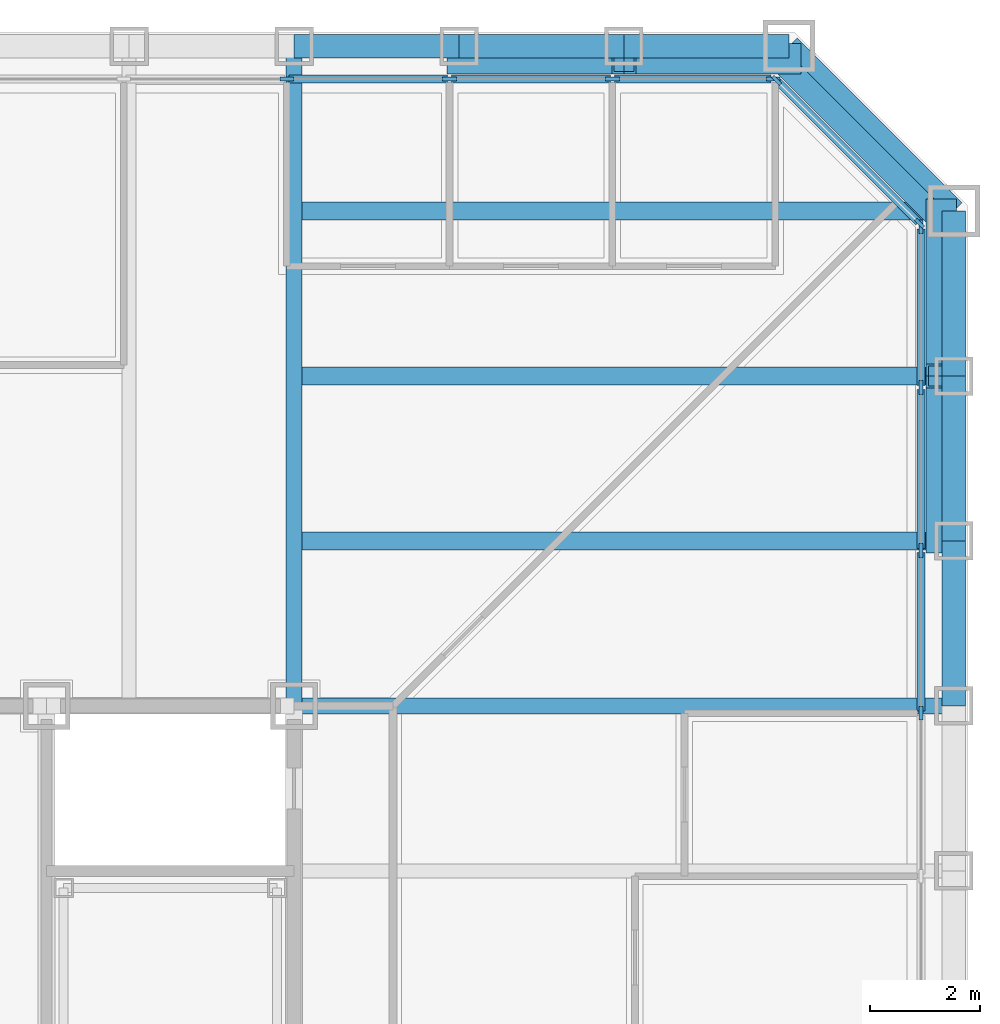
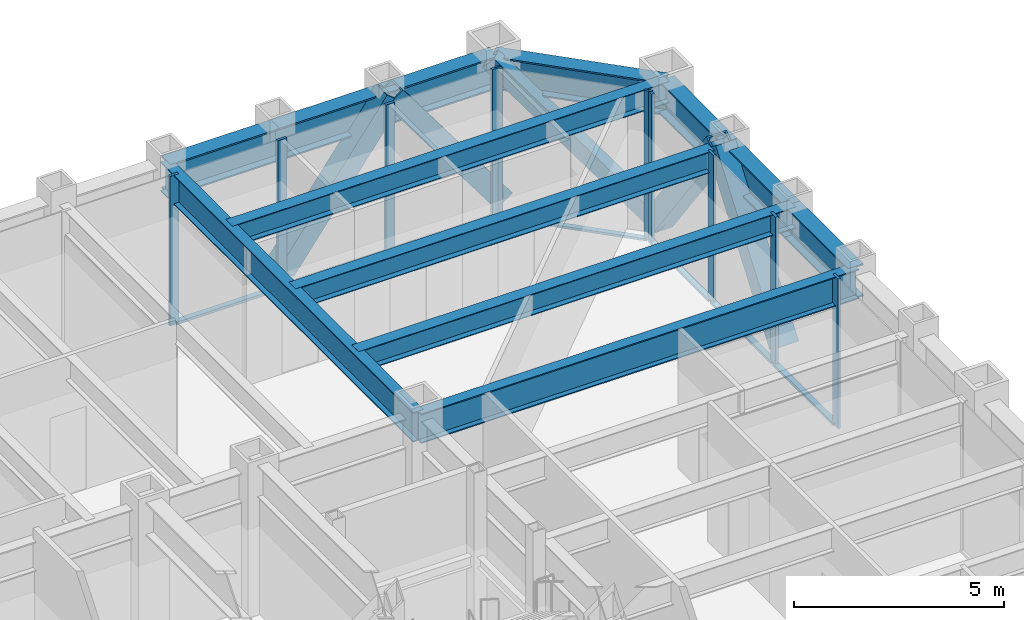
# One storey, part 6 of 17: 22 members, 12 beams, 3 elements without a shape of their own.
"""IFC4 building model written with IfcOpenShell, lengths in metres."""

from ifc_helpers import new_model, si_unit, direction, frame, origin, origin_2d, place, context, subcontext, project, spatial, rectangle, hollow_rectangle, i_section, extrude, material, layer, layer_set, material_profile, profile_set, type_object, element, aggregate, save


model = new_model("IFC4")

# Units and contexts
model_context = context("Model", 3, precision=1e-05, world=origin(), true_north=direction((0.0, 1.0)))
body_context = subcontext(model_context, "Body", "Model", "MODEL_VIEW")
ifc_project = project(units=[si_unit("LENGTHUNIT", "METRE"), si_unit("AREAUNIT", "SQUARE_METRE"), si_unit("VOLUMEUNIT", "CUBIC_METRE"), si_unit("PLANEANGLEUNIT", "RADIAN"), si_unit("MASSUNIT", "GRAM", prefix="KILO")], contexts=[model_context])

# Site, building, storey
site_placement = place(None, origin())
site = spatial("IfcSite", under=ifc_project, at=site_placement, CompositionType="ELEMENT")
building_placement = place(site_placement, origin())
building = spatial("IfcBuilding", under=site, at=building_placement, Name="Chuquiago Exchange Tower", CompositionType="ELEMENT")
storey_placement = place(building_placement, frame((0.0, 0.0, 69.300048828125)))
storey = spatial("IfcBuildingStorey", under=building, at=storey_placement, Name="L14", CompositionType="ELEMENT", Elevation=69.300048828125)

# Beams
ifc_material_1 = material(Name="Steel ASTM A992", Category="steel")
ifc_material_profile_1 = material_profile(ifc_material_1, i_section(OverallWidth=0.3251953125, OverallDepth=0.6171875, WebThickness=0.013916015625, FlangeThickness=0.021484375, at=origin_2d()), Name="W24X117")
ifc_profile_set_1 = profile_set([ifc_material_profile_1], Name="Steel ASTM A992")
beam_type_1 = type_object("IfcBeamType", Name="B5 W24X117", PredefinedType="BEAM", material=ifc_profile_set_1)
for number, where, z_axis, x_axis, name in (
    (1, (33.0, 36.0, 3.7314453125), (1.0, 0.0, 0.0), (0.0, 1.0, 0.0), "FB-L15-corner-33_36-45_36-0"),
    (2, (33.0, 39.0, 3.7314453125), (1.0, 0.0, 0.0), (0.0, 1.0, 0.0), "FB-L15-corner-33_39-45_39-0"),
    (3, (33.0, 42.0, 3.7314453125), (1.0, 0.0, 0.0), (0.0, 1.0, 0.0), "FB-L15-corner-33_42-45_42-0"),
):
    element("IfcBeam", number, at=place(storey_placement, frame(where, z_axis=z_axis, x_axis=x_axis)), inside=storey, type_object=beam_type_1, Name=name, PredefinedType="BEAM", context=body_context, shape_type="SweptSolid", body=[
        extrude(i_section(OverallWidth=0.3251953125, OverallDepth=0.6171875, WebThickness=0.013916015625, FlangeThickness=0.021484375, at=origin_2d()), origin(), (0.0, 0.0, 1.0), 12.0),
    ])

# Curtain wall, members
ifc_material_2 = material(Name="Aluminium curtain wall system", Category="aluminium")
ifc_layer_1 = layer(ifc_material_2, 0.25)
ifc_layer_set_1 = layer_set([ifc_layer_1], Name="CW1 trading floor curtain wall")
curtain_wall_type_1 = type_object("IfcCurtainWallType", Name="CW1 trading floor curtain wall", PredefinedType="NOTDEFINED", material=ifc_layer_set_1)
curtain_wall_1_placement = place(storey_placement, origin())
curtain_wall_1 = element("IfcCurtainWall", 4, at=curtain_wall_1_placement, inside=storey, type_object=curtain_wall_type_1, Name="CW1 curtain wall L14", PredefinedType="NOTDEFINED")
ifc_material_3 = material(Name="Aluminium mullion, pale anodised", Category="aluminium")
ifc_material_profile_2 = material_profile(ifc_material_3, rectangle(XDim=0.074951171875, YDim=0.25, at=origin_2d()), Name="AL 75x250")
ifc_profile_set_2 = profile_set([ifc_material_profile_2], Name="Aluminium mullion, pale anodised")
member_type_1 = type_object("IfcMemberType", Name="CW1-M mullion 75x250", PredefinedType="MULLION", material=ifc_profile_set_2)
member_1_placement = place(storey_placement, frame((44.39990234375, 32.8662109375, -0.300048828125), z_axis=(0.0, 0.0, 1.0), x_axis=(-1.0, 0.0, 0.0)))
member_1 = element("IfcMember", 5, at=member_1_placement, type_object=member_type_1, Name="CW1 mullion 11", PredefinedType="MULLION", context=body_context, shape_type="SweptSolid", body=[
    extrude(rectangle(XDim=0.074951171875, YDim=0.25, at=origin_2d()), origin(), (0.0, 0.0, 1.0), 4.340087890625),
])
member_2_placement = place(storey_placement, frame((44.39990234375, 35.827880859375, -0.300048828125), z_axis=(0.0, 0.0, 1.0), x_axis=(-1.0, 0.0, 0.0)))
member_2 = element("IfcMember", 6, at=member_2_placement, type_object=member_type_1, Name="CW1 mullion 12", PredefinedType="MULLION", context=body_context, shape_type="SweptSolid", body=[
    extrude(rectangle(XDim=0.074951171875, YDim=0.25, at=origin_2d()), origin(), (0.0, 0.0, 1.0), 4.340087890625),
])
member_3_placement = place(storey_placement, frame((44.39990234375, 38.789794921875, -0.300048828125), z_axis=(0.0, 0.0, 1.0), x_axis=(-1.0, 0.0, 0.0)))
member_3 = element("IfcMember", 7, at=member_3_placement, type_object=member_type_1, Name="CW1 mullion 13", PredefinedType="MULLION", context=body_context, shape_type="SweptSolid", body=[
    extrude(rectangle(XDim=0.074951171875, YDim=0.25, at=origin_2d()), origin(), (0.0, 0.0, 1.0), 4.340087890625),
])
member_4_placement = place(storey_placement, frame((44.39990234375, 41.714111328125, -0.300048828125), z_axis=(0.0, 0.0, 1.0), x_axis=(-1.0, 0.0, 0.0)))
member_4 = element("IfcMember", 8, at=member_4_placement, type_object=member_type_1, Name="CW1 mullion 14", PredefinedType="MULLION", context=body_context, shape_type="SweptSolid", body=[
    extrude(rectangle(XDim=0.074951171875, YDim=0.25, at=origin_2d()), origin(), (0.0, 0.0, 1.0), 4.340087890625),
])

curtain_wall_2_placement = place(storey_placement, origin())
curtain_wall_2 = element("IfcCurtainWall", 9, at=curtain_wall_2_placement, inside=storey, type_object=curtain_wall_type_1, Name="CW1 curtain wall L14", PredefinedType="NOTDEFINED")
member_5_placement = place(storey_placement, frame((41.714111328125, 44.39990234375, -0.300048828125), z_axis=(0.0, 0.0, 1.0), x_axis=(0.0, -1.0, 0.0)))
member_5 = element("IfcMember", 10, at=member_5_placement, type_object=member_type_1, Name="CW1 mullion 1", PredefinedType="MULLION", context=body_context, shape_type="SweptSolid", body=[
    extrude(rectangle(XDim=0.074951171875, YDim=0.25, at=origin_2d()), origin(), (0.0, 0.0, 1.0), 4.340087890625),
])
member_6_placement = place(storey_placement, frame((38.789794921875, 44.39990234375, -0.300048828125), z_axis=(0.0, 0.0, 1.0), x_axis=(0.0, -1.0, 0.0)))
member_6 = element("IfcMember", 11, at=member_6_placement, type_object=member_type_1, Name="CW1 mullion 2", PredefinedType="MULLION", context=body_context, shape_type="SweptSolid", body=[
    extrude(rectangle(XDim=0.074951171875, YDim=0.25, at=origin_2d()), origin(), (0.0, 0.0, 1.0), 4.340087890625),
])
member_7_placement = place(storey_placement, frame((35.827880859375, 44.39990234375, -0.300048828125), z_axis=(0.0, 0.0, 1.0), x_axis=(0.0, -1.0, 0.0)))
member_7 = element("IfcMember", 12, at=member_7_placement, type_object=member_type_1, Name="CW1 mullion 3", PredefinedType="MULLION", context=body_context, shape_type="SweptSolid", body=[
    extrude(rectangle(XDim=0.074951171875, YDim=0.25, at=origin_2d()), origin(), (0.0, 0.0, 1.0), 4.340087890625),
])
member_8_placement = place(storey_placement, frame((32.8662109375, 44.39990234375, -0.300048828125), z_axis=(0.0, 0.0, 1.0), x_axis=(0.0, -1.0, 0.0)))
member_8 = element("IfcMember", 13, at=member_8_placement, type_object=member_type_1, Name="CW1 mullion 4", PredefinedType="MULLION", context=body_context, shape_type="SweptSolid", body=[
    extrude(rectangle(XDim=0.074951171875, YDim=0.25, at=origin_2d()), origin(), (0.0, 0.0, 1.0), 4.340087890625),
])

# Member
ifc_material_4 = material(Name="Aluminium transom, pale anodised", Category="aluminium")
ifc_material_profile_3 = material_profile(ifc_material_4, rectangle(XDim=0.14990234375, YDim=0.074951171875, at=origin_2d()), Name="AL 150x75")
ifc_profile_set_3 = profile_set([ifc_material_profile_3], Name="Aluminium transom, pale anodised")
member_type_2 = type_object("IfcMemberType", Name="CW1-T transom 75x150", PredefinedType="MULLION", material=ifc_profile_set_3)
member_9_placement = place(storey_placement, frame((44.39990234375, 32.90380859375, -0.262451171875), z_axis=(0.0, 1.0, 0.0), x_axis=(-1.0, 0.0, 0.0)))
member_9 = element("IfcMember", 14, at=member_9_placement, type_object=member_type_2, Name="CW1 transom 11.1", PredefinedType="MULLION", context=body_context, shape_type="SweptSolid", body=[
    extrude(rectangle(XDim=0.14990234375, YDim=0.074951171875, at=origin_2d()), origin(), (0.0, 0.0, 1.0), 2.88671875),
])

member_10_placement = place(storey_placement, frame((44.39990234375, 35.865478515625, -0.262451171875), z_axis=(0.0, 1.0, 0.0), x_axis=(-1.0, 0.0, 0.0)))
member_10 = element("IfcMember", 15, at=member_10_placement, type_object=member_type_2, Name="CW1 transom 12.1", PredefinedType="MULLION", context=body_context, shape_type="SweptSolid", body=[
    extrude(rectangle(XDim=0.14990234375, YDim=0.074951171875, at=origin_2d()), origin(), (0.0, 0.0, 1.0), 2.88671875),
])

member_11_placement = place(storey_placement, frame((44.39990234375, 38.8271484375, -0.262451171875), z_axis=(0.0, 1.0, 0.0), x_axis=(-1.0, 0.0, 0.0)))
member_11 = element("IfcMember", 16, at=member_11_placement, type_object=member_type_2, Name="CW1 transom 13.1", PredefinedType="MULLION", context=body_context, shape_type="SweptSolid", body=[
    extrude(rectangle(XDim=0.14990234375, YDim=0.074951171875, at=origin_2d()), origin(), (0.0, 0.0, 1.0), 2.849365234375),
])

aggregate(curtain_wall_1, [member_1, member_2, member_3, member_4, member_9, member_10, member_11])

member_12_placement = place(storey_placement, frame((41.676513671875, 44.39990234375, -0.262451171875), z_axis=(-1.0, 0.0, 0.0), x_axis=(0.0, -1.0, 0.0)))
member_12 = element("IfcMember", 17, at=member_12_placement, type_object=member_type_2, Name="CW1 transom 1.1", PredefinedType="MULLION", context=body_context, shape_type="SweptSolid", body=[
    extrude(rectangle(XDim=0.14990234375, YDim=0.074951171875, at=origin_2d()), origin(), (0.0, 0.0, 1.0), 2.849365234375),
])

member_13_placement = place(storey_placement, frame((38.752197265625, 44.39990234375, -0.262451171875), z_axis=(-1.0, 0.0, 0.0), x_axis=(0.0, -1.0, 0.0)))
member_13 = element("IfcMember", 18, at=member_13_placement, type_object=member_type_2, Name="CW1 transom 2.1", PredefinedType="MULLION", context=body_context, shape_type="SweptSolid", body=[
    extrude(rectangle(XDim=0.14990234375, YDim=0.074951171875, at=origin_2d()), origin(), (0.0, 0.0, 1.0), 2.88671875),
])

member_14_placement = place(storey_placement, frame((35.79052734375, 44.39990234375, -0.262451171875), z_axis=(-1.0, 0.0, 0.0), x_axis=(0.0, -1.0, 0.0)))
member_14 = element("IfcMember", 19, at=member_14_placement, type_object=member_type_2, Name="CW1 transom 3.1", PredefinedType="MULLION", context=body_context, shape_type="SweptSolid", body=[
    extrude(rectangle(XDim=0.14990234375, YDim=0.074951171875, at=origin_2d()), origin(), (0.0, 0.0, 1.0), 2.88671875),
])

aggregate(curtain_wall_2, [member_5, member_6, member_7, member_8, member_12, member_13, member_14])

# Curtain wall, members
ifc_material_5 = material(Name="Aluminium curtain wall system", Category="aluminium")
ifc_layer_2 = layer(ifc_material_5, 0.199951171875)
ifc_layer_set_2 = layer_set([ifc_layer_2], Name="CW3 facet curtain wall")
curtain_wall_type_2 = type_object("IfcCurtainWallType", Name="CW3 facet curtain wall", PredefinedType="NOTDEFINED", material=ifc_layer_set_2)
curtain_wall_3_placement = place(storey_placement, origin())
curtain_wall_3 = element("IfcCurtainWall", 20, at=curtain_wall_3_placement, inside=storey, type_object=curtain_wall_type_2, Name="CW3 curtain wall L14", PredefinedType="NOTDEFINED")
ifc_material_6 = material(Name="Aluminium mullion, pale anodised", Category="aluminium")
ifc_material_profile_4 = material_profile(ifc_material_6, rectangle(XDim=0.06494140625, YDim=0.199951171875, at=origin_2d()), Name="AL 65x200")
ifc_profile_set_4 = profile_set([ifc_material_profile_4], Name="Aluminium mullion, pale anodised")
member_type_3 = type_object("IfcMemberType", Name="CW3-M mullion 65x200", PredefinedType="MULLION", material=ifc_profile_set_4)
member_15_placement = place(storey_placement, frame((44.376953125, 41.7744140625, -0.300048828125), z_axis=(0.0, 0.0, 1.0), x_axis=(-0.707106781187, -0.707106781187, 0.0)))
member_15 = element("IfcMember", 21, at=member_15_placement, type_object=member_type_3, Name="CW3 mullion 1", PredefinedType="MULLION", context=body_context, shape_type="SweptSolid", body=[
    extrude(rectangle(XDim=0.06494140625, YDim=0.199951171875, at=origin_2d()), origin(), (0.0, 0.0, 1.0), 4.340087890625),
])
member_16_placement = place(storey_placement, frame((41.7744140625, 44.376953125, -0.300048828125), z_axis=(0.0, 0.0, 1.0), x_axis=(-0.707106781187, -0.707106781187, 0.0)))
member_16 = element("IfcMember", 22, at=member_16_placement, type_object=member_type_3, Name="CW3 mullion 2", PredefinedType="MULLION", context=body_context, shape_type="SweptSolid", body=[
    extrude(rectangle(XDim=0.06494140625, YDim=0.199951171875, at=origin_2d()), origin(), (0.0, 0.0, 1.0), 4.340087890625),
])
ifc_material_7 = material(Name="Aluminium transom, pale anodised", Category="aluminium")
ifc_material_profile_5 = material_profile(ifc_material_7, rectangle(XDim=0.139892578125, YDim=0.06494140625, at=origin_2d()), Name="AL 140x65")
ifc_profile_set_5 = profile_set([ifc_material_profile_5], Name="Aluminium transom, pale anodised")
member_type_4 = type_object("IfcMemberType", Name="CW3-T transom 65x140", PredefinedType="MULLION", material=ifc_profile_set_5)
member_17_placement = place(storey_placement, frame((44.35400390625, 41.79736328125, -0.267578125), z_axis=(-0.707106781187, 0.707106781187, 0.0), x_axis=(-0.707106781187, -0.707106781187, 0.0)))
member_17 = element("IfcMember", 23, at=member_17_placement, type_object=member_type_4, Name="CW3 transom 1.1", PredefinedType="MULLION", context=body_context, shape_type="SweptSolid", body=[
    extrude(rectangle(XDim=0.139892578125, YDim=0.06494140625, at=origin_2d()), origin(), (0.0, 0.0, 1.0), 3.61572265625),
])
aggregate(curtain_wall_3, [member_15, member_16, member_17])

# Beams
ifc_material_8 = material(Name="Steel ASTM A992", Category="steel")
ifc_material_profile_6 = material_profile(ifc_material_8, i_section(OverallWidth=0.2919921875, OverallDepth=0.8583984375, WebThickness=0.01708984375, FlangeThickness=0.031005859375, at=origin_2d()), Name="W33X169")
ifc_profile_set_6 = profile_set([ifc_material_profile_6], Name="Steel ASTM A992")
beam_type_2 = type_object("IfcBeamType", Name="G2 W33X169", PredefinedType="BEAM", material=ifc_profile_set_6)
for number, where, z_axis, x_axis, name in (
    (24, (33.0, 33.0, 3.610595703125), (0.0, 1.0, 0.0), (-1.0, 0.0, 0.0), "FB-L15-girder-33_33-33_45-0"),
    (25, (33.0, 33.0, 3.610595703125), (1.0, 0.0, 0.0), (0.0, 1.0, 0.0), "FB-L15-girder-33_33-45_33-0"),
):
    element("IfcBeam", number, at=place(storey_placement, frame(where, z_axis=z_axis, x_axis=x_axis)), inside=storey, type_object=beam_type_2, Name=name, PredefinedType="BEAM", context=body_context, shape_type="SweptSolid", body=[
        extrude(i_section(OverallWidth=0.2919921875, OverallDepth=0.8583984375, WebThickness=0.01708984375, FlangeThickness=0.031005859375, at=origin_2d()), origin(), (0.0, 0.0, 1.0), 12.0),
    ])

# Members
ifc_material_9 = material(Name="Steel ASTM A500 Grade C", Category="steel")
ifc_material_profile_7 = material_profile(ifc_material_9, hollow_rectangle(XDim=0.406494140625, YDim=0.406494140625, WallThickness=0.0146484375, at=origin_2d()), Name="HSS16X16X5/8")
ifc_profile_set_7 = profile_set([ifc_material_profile_7], Name="Steel ASTM A500 Grade C")
member_type_5 = type_object("IfcMemberType", Name="LB4 HSS16X16X5/8", PredefinedType="BRACE", material=ifc_profile_set_7)
member_18_placement = place(storey_placement, frame((44.78662109375, 41.78662109375, 0.0), z_axis=(-0.512077265487, 0.512077265487, 0.689604051861), x_axis=(-0.707106781187, -0.707106781187, 0.0)))
element("IfcMember", 26, at=member_18_placement, inside=storey, type_object=member_type_5, Name="LB-L14-45_42-42_45", PredefinedType="BRACE", context=body_context, shape_type="SweptSolid", body=[
    extrude(hollow_rectangle(XDim=0.406494140625, YDim=0.406494140625, WallThickness=0.0146484375, at=origin_2d()), origin(), (0.0, 0.0, 1.0), 5.8583984375),
])
ifc_material_10 = material(Name="Steel ASTM A572 Grade 50", Category="steel")
ifc_material_profile_8 = material_profile(ifc_material_10, hollow_rectangle(XDim=0.550048828125, YDim=0.550048828125, WallThickness=0.044921875, at=origin_2d()), Name="BOX550X550X45")
ifc_profile_set_8 = profile_set([ifc_material_profile_8], Name="Steel ASTM A572 Grade 50")
member_type_6 = type_object("IfcMemberType", Name="MB1 BOX550X550X45", PredefinedType="BRACE", material=ifc_profile_set_8)
for number, where, z_axis, x_axis, name in (
    (27, (44.77001953125, 36.0, 0.0), (0.0, 0.596173923302, 0.802855312728), (-1.0, 0.0, 0.0), "Mega diagonal L14 E face"),
    (28, (44.77001953125, 42.0, 0.0), (0.0, -0.596173923302, 0.802855312728), (1.0, 0.0, 0.0), "Mega diagonal L14 E face"),
    (29, (42.0, 44.77001953125, 0.0), (-0.596173923302, 0.0, 0.802855312728), (0.0, -1.0, 0.0), "Mega diagonal L14 N face"),
    (30, (36.0, 44.77001953125, 0.0), (0.596173923302, 0.0, 0.802855312728), (0.0, 1.0, 0.0), "Mega diagonal L14 N face"),
):
    element("IfcMember", number, at=place(storey_placement, frame(where, z_axis=z_axis, x_axis=x_axis)), inside=storey, type_object=member_type_6, Name=name, PredefinedType="BRACE", context=body_context, shape_type="SweptSolid", body=[
        extrude(hollow_rectangle(XDim=0.550048828125, YDim=0.550048828125, WallThickness=0.044921875, at=origin_2d()), origin(), (0.0, 0.0, 1.0), 5.031982421875),
    ])

# Beams
ifc_material_11 = material(Name="Steel ASTM A992", Category="steel")
ifc_material_profile_9 = material_profile(ifc_material_11, i_section(OverallWidth=0.424072265625, OverallDepth=0.947509765625, WebThickness=0.02392578125, FlangeThickness=0.042724609375, at=origin_2d()), Name="W36X302")
ifc_profile_set_9 = profile_set([ifc_material_profile_9], Name="Steel ASTM A992")
beam_type_3 = type_object("IfcBeamType", Name="SP1 W36X302", PredefinedType="SPANDREL", material=ifc_profile_set_9)
for number, where, z_axis, x_axis, name in (
    (31, (45.0, 33.0, 3.566162109375), (0.0, 1.0, 0.0), (-1.0, 0.0, 0.0), "SPB-L15-45_33-45_36"),
    (32, (45.0, 36.0, 3.566162109375), (0.0, 1.0, 0.0), (-1.0, 0.0, 0.0), "SPB-L15-45_36-45_39"),
    (33, (45.0, 39.0, 3.566162109375), (0.0, 1.0, 0.0), (-1.0, 0.0, 0.0), "SPB-L15-45_39-45_42"),
):
    element("IfcBeam", number, at=place(storey_placement, frame(where, z_axis=z_axis, x_axis=x_axis)), inside=storey, type_object=beam_type_3, Name=name, PredefinedType="SPANDREL", context=body_context, shape_type="SweptSolid", body=[
        extrude(i_section(OverallWidth=0.424072265625, OverallDepth=0.947509765625, WebThickness=0.02392578125, FlangeThickness=0.042724609375, at=origin_2d()), origin(), (0.0, 0.0, 1.0), 3.0),
    ])
beam_placement = place(storey_placement, frame((45.0, 42.0, 3.566162109375), z_axis=(-0.707106781187, 0.707106781187, 0.0), x_axis=(-0.707106781187, -0.707106781187, 0.0)))
element("IfcBeam", 34, at=beam_placement, inside=storey, type_object=beam_type_3, Name="SPB-L15-45_42-42_45", PredefinedType="SPANDREL", context=body_context, shape_type="SweptSolid", body=[
    extrude(i_section(OverallWidth=0.424072265625, OverallDepth=0.947509765625, WebThickness=0.02392578125, FlangeThickness=0.042724609375, at=origin_2d()), origin(), (0.0, 0.0, 1.0), 4.24267578125),
])
for number, where, z_axis, x_axis, name in (
    (35, (42.0, 45.0, 3.566162109375), (-1.0, 0.0, 0.0), (0.0, -1.0, 0.0), "SPB-L15-42_45-39_45"),
    (36, (39.0, 45.0, 3.566162109375), (-1.0, 0.0, 0.0), (0.0, -1.0, 0.0), "SPB-L15-39_45-36_45"),
    (37, (36.0, 45.0, 3.566162109375), (-1.0, 0.0, 0.0), (0.0, -1.0, 0.0), "SPB-L15-36_45-33_45"),
):
    element("IfcBeam", number, at=place(storey_placement, frame(where, z_axis=z_axis, x_axis=x_axis)), inside=storey, type_object=beam_type_3, Name=name, PredefinedType="SPANDREL", context=body_context, shape_type="SweptSolid", body=[
        extrude(i_section(OverallWidth=0.424072265625, OverallDepth=0.947509765625, WebThickness=0.02392578125, FlangeThickness=0.042724609375, at=origin_2d()), origin(), (0.0, 0.0, 1.0), 3.0),
    ])

save(model, "model.ifc")
